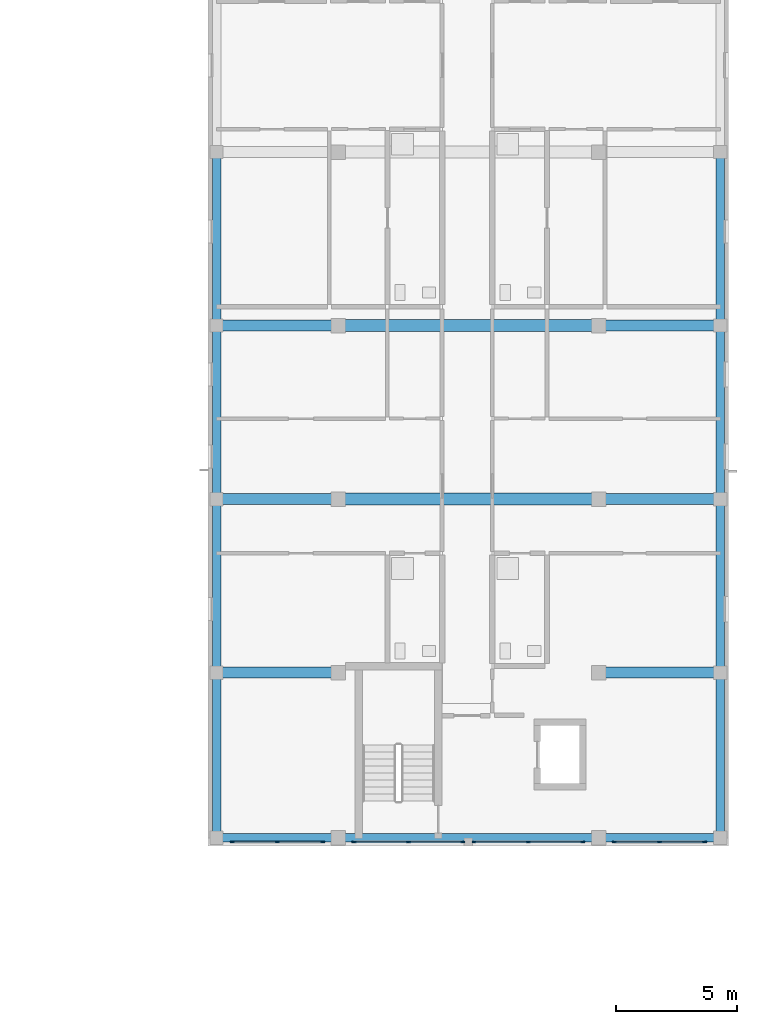
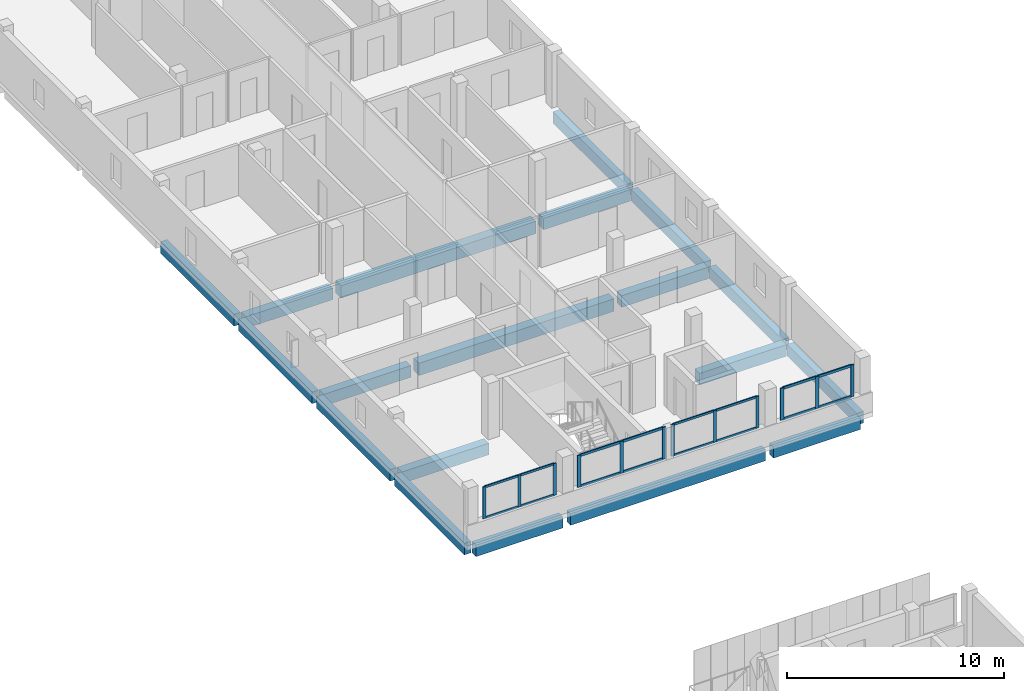
# One storey, part 8 of 38: 28 members, 19 beams, 4 elements without a shape of their own.
"""IFC4 building model written with IfcOpenShell, lengths in metres."""

from ifc_helpers import new_model, si_unit, derived_unit, direction, frame, origin, origin_2d, place, context, subcontext, project, spatial, rectangle, extrude, material, layer, layer_set, material_profile, profile_set, type_object, element, aggregate, save


model = new_model("IFC4")

# Units and contexts
model_context = context("Model", 3, precision=1e-05, world=origin(), true_north=direction((0.0, 1.0)))
body_context = subcontext(model_context, "Body", "Model", "MODEL_VIEW")
ifc_project = project(units=[si_unit("LENGTHUNIT", "METRE"), si_unit("AREAUNIT", "SQUARE_METRE"), si_unit("VOLUMEUNIT", "CUBIC_METRE"), si_unit("PLANEANGLEUNIT", "RADIAN"), si_unit("MASSUNIT", "GRAM", prefix="KILO"), derived_unit("THERMALTRANSMITTANCEUNIT", [(si_unit("MASSUNIT", "GRAM", prefix="KILO"), 1), (si_unit("TIMEUNIT", "SECOND"), -3), (si_unit("THERMODYNAMICTEMPERATUREUNIT", "KELVIN"), -1)])], contexts=[model_context])

# Site, building, storey
site_placement = place(None, origin())
site = spatial("IfcSite", under=ifc_project, at=site_placement, CompositionType="ELEMENT")
building_placement = place(site_placement, origin())
building = spatial("IfcBuilding", under=site, at=building_placement, Name="Ochrekiln Boulevard Commons", CompositionType="ELEMENT")
storey_placement = place(building_placement, frame((0.0, 0.0, 24.675048828125)))
storey = spatial("IfcBuildingStorey", under=building, at=storey_placement, Name="L07", CompositionType="ELEMENT", Elevation=24.675048828125)

# Beams
ifc_material_1 = material(Name="Concrete C35/45", Category="concrete")
ifc_material_profile_1 = material_profile(ifc_material_1, rectangle(XDim=0.449951171875, YDim=0.64990234375, at=origin_2d()), Name="RC-BM-450x650")
ifc_profile_set_1 = profile_set([ifc_material_profile_1], Name="Concrete C35/45")
beam_type_1 = type_object("IfcBeamType", Name="BM-RC-450x650", PredefinedType="BEAM", material=ifc_profile_set_1)
for number, where, z_axis, x_axis, name in (
    (1, (151.760009765625, 75.60009765625, -0.5849609375), (1.0, 0.0, 0.0), (0.0, 1.0, 0.0), "Block B L07 Beam B-4565 X4"),
    (2, (167.610107421875, 75.60009765625, -0.5849609375), (1.0, 0.0, 0.0), (0.0, 1.0, 0.0), "Block B L07 Beam B-4565 X5"),
    (3, (151.760009765625, 82.800048828125, -0.5849609375), (1.0, 0.0, 0.0), (0.0, 1.0, 0.0), "Block B L07 Beam B-4565 X6"),
    (4, (167.610107421875, 82.800048828125, -0.5849609375), (1.0, 0.0, 0.0), (0.0, 1.0, 0.0), "Block B L07 Beam B-4565 X8"),
    (5, (151.760009765625, 90.0, -0.5849609375), (1.0, 0.0, 0.0), (0.0, 1.0, 0.0), "Block B L07 Beam B-4565 X9"),
    (6, (167.610107421875, 90.0, -0.5849609375), (1.0, 0.0, 0.0), (0.0, 1.0, 0.0), "Block B L07 Beam B-4565 X11"),
):
    element("IfcBeam", number, at=place(storey_placement, frame(where, z_axis=z_axis, x_axis=x_axis)), inside=storey, type_object=beam_type_1, Name=name, PredefinedType="BEAM", context=body_context, shape_type="SweptSolid", body=[
        extrude(rectangle(XDim=0.449951171875, YDim=0.64990234375, at=origin_2d()), origin(), (0.0, 0.0, 1.0), 4.6298828125),
    ])
ifc_material_2 = material(Name="Concrete C40/50", Category="concrete")
ifc_material_profile_2 = material_profile(ifc_material_2, rectangle(XDim=0.5, YDim=0.699951171875, at=origin_2d()), Name="RC-BM-500x700")
ifc_profile_set_2 = profile_set([ifc_material_profile_2], Name="Concrete C40/50")
beam_type_2 = type_object("IfcBeamType", Name="BM-RC-500x700", PredefinedType="BEAM", material=ifc_profile_set_2)
for number, where, z_axis, x_axis, name in (
    (7, (156.81005859375, 82.800048828125, -0.610107421875), (1.0, 0.0, 0.0), (0.0, 1.0, 0.0), "Block B L07 Beam B-5070 X7"),
    (8, (156.81005859375, 90.0, -0.610107421875), (1.0, 0.0, 0.0), (0.0, 1.0, 0.0), "Block B L07 Beam B-5070 X10"),
):
    element("IfcBeam", number, at=place(storey_placement, frame(where, z_axis=z_axis, x_axis=x_axis)), inside=storey, type_object=beam_type_2, Name=name, PredefinedType="BEAM", context=body_context, shape_type="SweptSolid", body=[
        extrude(rectangle(XDim=0.5, YDim=0.699951171875, at=origin_2d()), origin(), (0.0, 0.0, 1.0), 10.3798828125),
    ])

# Curtain wall, members
ifc_material_3 = material(Name="Bronze-anodized extruded aluminium 6063-T6", Category="aluminium")
ifc_layer = layer(ifc_material_3, 0.18408203125)
ifc_layer_set = layer_set([ifc_layer], Name="Bronze-anodized extruded aluminium 6063-T6")
curtain_wall_type = type_object("IfcCurtainWallType", Name="CW-GABLE-B", PredefinedType="USERDEFINED", material=ifc_layer_set)
curtain_wall_1_placement = place(storey_placement, origin())
curtain_wall_1 = element("IfcCurtainWall", 9, at=curtain_wall_1_placement, inside=storey, type_object=curtain_wall_type, Name="Block B L07 Courtyard Glazed Gable Curtain Wall 1", ObjectType="GLAZED CURTAIN WALL", PredefinedType="USERDEFINED")
ifc_material_profile_3 = material_profile(ifc_material_3, rectangle(XDim=0.06005859375, YDim=0.159912109375, at=origin_2d()), Name="ALU-MUL-60x160")
ifc_profile_set_3 = profile_set([ifc_material_profile_3], Name="Bronze-anodized extruded aluminium 6063-T6")
member_type_1 = type_object("IfcMemberType", Name="CWM-60x160", PredefinedType="MULLION", material=ifc_profile_set_3)
member_1_placement = place(storey_placement, frame((152.199951171875, 68.570068359375, 1.10986328125), z_axis=(0.0, 0.0, 1.0), x_axis=(0.0, 1.0, 0.0)))
member_1 = element("IfcMember", 10, at=member_1_placement, type_object=member_type_1, Name="CW-02 mullion 1", PredefinedType="MULLION", context=body_context, shape_type="SweptSolid", body=[
    extrude(rectangle(XDim=0.06005859375, YDim=0.159912109375, at=origin_2d()), origin(), (0.0, 0.0, 1.0), 1.7900390625),
])
member_2_placement = place(storey_placement, frame((154.074951171875, 68.570068359375, 1.10986328125), z_axis=(0.0, 0.0, 1.0), x_axis=(0.0, 1.0, 0.0)))
member_2 = element("IfcMember", 11, at=member_2_placement, type_object=member_type_1, Name="CW-02 mullion 2", PredefinedType="MULLION", context=body_context, shape_type="SweptSolid", body=[
    extrude(rectangle(XDim=0.06005859375, YDim=0.159912109375, at=origin_2d()), origin(), (0.0, 0.0, 1.0), 1.7900390625),
])
member_3_placement = place(storey_placement, frame((155.949951171875, 68.570068359375, 1.10986328125), z_axis=(0.0, 0.0, 1.0), x_axis=(0.0, 1.0, 0.0)))
member_3 = element("IfcMember", 12, at=member_3_placement, type_object=member_type_1, Name="CW-02 mullion 3", PredefinedType="MULLION", context=body_context, shape_type="SweptSolid", body=[
    extrude(rectangle(XDim=0.06005859375, YDim=0.159912109375, at=origin_2d()), origin(), (0.0, 0.0, 1.0), 1.7900390625),
])

curtain_wall_2_placement = place(storey_placement, origin())
curtain_wall_2 = element("IfcCurtainWall", 13, at=curtain_wall_2_placement, inside=storey, type_object=curtain_wall_type, Name="Block B L07 Courtyard Glazed Gable Curtain Wall 3", ObjectType="GLAZED CURTAIN WALL", PredefinedType="USERDEFINED")
member_4_placement = place(storey_placement, frame((162.22998046875, 68.570068359375, 1.10986328125), z_axis=(0.0, 0.0, 1.0), x_axis=(0.0, 1.0, 0.0)))
member_4 = element("IfcMember", 14, at=member_4_placement, type_object=member_type_1, Name="CW-02 mullion 1", PredefinedType="MULLION", context=body_context, shape_type="SweptSolid", body=[
    extrude(rectangle(XDim=0.06005859375, YDim=0.159912109375, at=origin_2d()), origin(), (0.0, 0.0, 1.0), 1.7900390625),
])
member_5_placement = place(storey_placement, frame((164.489990234375, 68.570068359375, 1.10986328125), z_axis=(0.0, 0.0, 1.0), x_axis=(0.0, 1.0, 0.0)))
member_5 = element("IfcMember", 15, at=member_5_placement, type_object=member_type_1, Name="CW-02 mullion 2", PredefinedType="MULLION", context=body_context, shape_type="SweptSolid", body=[
    extrude(rectangle(XDim=0.06005859375, YDim=0.159912109375, at=origin_2d()), origin(), (0.0, 0.0, 1.0), 1.7900390625),
])
member_6_placement = place(storey_placement, frame((166.75, 68.570068359375, 1.10986328125), z_axis=(0.0, 0.0, 1.0), x_axis=(0.0, 1.0, 0.0)))
member_6 = element("IfcMember", 16, at=member_6_placement, type_object=member_type_1, Name="CW-02 mullion 3", PredefinedType="MULLION", context=body_context, shape_type="SweptSolid", body=[
    extrude(rectangle(XDim=0.06005859375, YDim=0.159912109375, at=origin_2d()), origin(), (0.0, 0.0, 1.0), 1.7900390625),
])

curtain_wall_3_placement = place(storey_placement, origin())
curtain_wall_3 = element("IfcCurtainWall", 17, at=curtain_wall_3_placement, inside=storey, type_object=curtain_wall_type, Name="Block B L07 Courtyard Glazed Gable Curtain Wall 2", ObjectType="GLAZED CURTAIN WALL", PredefinedType="USERDEFINED")
ifc_material_profile_4 = material_profile(ifc_material_3, rectangle(XDim=0.06494140625, YDim=0.179931640625, at=origin_2d()), Name="ALU-MUL-65x180")
ifc_profile_set_4 = profile_set([ifc_material_profile_4], Name="Bronze-anodized extruded aluminium 6063-T6")
member_type_2 = type_object("IfcMemberType", Name="CWM-65x180", PredefinedType="MULLION", material=ifc_profile_set_4)
member_7_placement = place(storey_placement, frame((157.25244140625, 68.570068359375, 1.10986328125), z_axis=(0.0, 0.0, 1.0), x_axis=(0.0, 1.0, 0.0)))
member_7 = element("IfcMember", 18, at=member_7_placement, type_object=member_type_2, Name="CW-02 mullion 1", PredefinedType="MULLION", context=body_context, shape_type="SweptSolid", body=[
    extrude(rectangle(XDim=0.06494140625, YDim=0.179931640625, at=origin_2d()), origin(), (0.0, 0.0, 1.0), 1.7900390625),
])
member_8_placement = place(storey_placement, frame((159.510009765625, 68.570068359375, 1.10986328125), z_axis=(0.0, 0.0, 1.0), x_axis=(0.0, 1.0, 0.0)))
member_8 = element("IfcMember", 19, at=member_8_placement, type_object=member_type_2, Name="CW-02 mullion 2", PredefinedType="MULLION", context=body_context, shape_type="SweptSolid", body=[
    extrude(rectangle(XDim=0.06494140625, YDim=0.179931640625, at=origin_2d()), origin(), (0.0, 0.0, 1.0), 1.7900390625),
])
member_9_placement = place(storey_placement, frame((161.767578125, 68.570068359375, 1.10986328125), z_axis=(0.0, 0.0, 1.0), x_axis=(0.0, 1.0, 0.0)))
member_9 = element("IfcMember", 20, at=member_9_placement, type_object=member_type_2, Name="CW-02 mullion 3", PredefinedType="MULLION", context=body_context, shape_type="SweptSolid", body=[
    extrude(rectangle(XDim=0.06494140625, YDim=0.179931640625, at=origin_2d()), origin(), (0.0, 0.0, 1.0), 1.7900390625),
])

curtain_wall_4_placement = place(storey_placement, origin())
curtain_wall_4 = element("IfcCurtainWall", 21, at=curtain_wall_4_placement, inside=storey, type_object=curtain_wall_type, Name="Block B L07 Courtyard Glazed Gable Curtain Wall 4", ObjectType="GLAZED CURTAIN WALL", PredefinedType="USERDEFINED")
member_10_placement = place(storey_placement, frame((168.052490234375, 68.570068359375, 1.10986328125), z_axis=(0.0, 0.0, 1.0), x_axis=(0.0, 1.0, 0.0)))
member_10 = element("IfcMember", 22, at=member_10_placement, type_object=member_type_2, Name="CW-02 mullion 1", PredefinedType="MULLION", context=body_context, shape_type="SweptSolid", body=[
    extrude(rectangle(XDim=0.06494140625, YDim=0.179931640625, at=origin_2d()), origin(), (0.0, 0.0, 1.0), 1.7900390625),
])
member_11_placement = place(storey_placement, frame((169.925048828125, 68.570068359375, 1.10986328125), z_axis=(0.0, 0.0, 1.0), x_axis=(0.0, 1.0, 0.0)))
member_11 = element("IfcMember", 23, at=member_11_placement, type_object=member_type_2, Name="CW-02 mullion 2", PredefinedType="MULLION", context=body_context, shape_type="SweptSolid", body=[
    extrude(rectangle(XDim=0.06494140625, YDim=0.179931640625, at=origin_2d()), origin(), (0.0, 0.0, 1.0), 1.7900390625),
])
member_12_placement = place(storey_placement, frame((171.797607421875, 68.570068359375, 1.10986328125), z_axis=(0.0, 0.0, 1.0), x_axis=(0.0, 1.0, 0.0)))
member_12 = element("IfcMember", 24, at=member_12_placement, type_object=member_type_2, Name="CW-02 mullion 3", PredefinedType="MULLION", context=body_context, shape_type="SweptSolid", body=[
    extrude(rectangle(XDim=0.06494140625, YDim=0.179931640625, at=origin_2d()), origin(), (0.0, 0.0, 1.0), 1.7900390625),
])

# Member
ifc_material_profile_5 = material_profile(ifc_material_3, rectangle(XDim=0.06005859375, YDim=0.1201171875, at=origin_2d()), Name="ALU-TRN-60x120")
ifc_profile_set_5 = profile_set([ifc_material_profile_5], Name="Bronze-anodized extruded aluminium 6063-T6")
member_type_3 = type_object("IfcMemberType", Name="CWT-60x120", PredefinedType="USERDEFINED", material=ifc_profile_set_5)
member_13_placement = place(storey_placement, frame((152.22998046875, 68.570068359375, 1.139892578125), z_axis=(1.0, 0.0, 0.0), x_axis=(0.0, 1.0, 0.0)))
member_13 = element("IfcMember", 25, at=member_13_placement, type_object=member_type_3, Name="CW-02 transom 1.1", ObjectType="TRANSOM", PredefinedType="USERDEFINED", context=body_context, shape_type="SweptSolid", body=[
    extrude(rectangle(XDim=0.06005859375, YDim=0.1201171875, at=origin_2d()), origin(), (0.0, 0.0, 1.0), 1.81494140625),
])

member_14_placement = place(storey_placement, frame((152.22998046875, 68.570068359375, 2.869873046875), z_axis=(1.0, 0.0, 0.0), x_axis=(0.0, 1.0, 0.0)))
member_14 = element("IfcMember", 26, at=member_14_placement, type_object=member_type_3, Name="CW-02 transom 1.2", ObjectType="TRANSOM", PredefinedType="USERDEFINED", context=body_context, shape_type="SweptSolid", body=[
    extrude(rectangle(XDim=0.06005859375, YDim=0.1201171875, at=origin_2d()), origin(), (0.0, 0.0, 1.0), 1.81494140625),
])

member_15_placement = place(storey_placement, frame((154.10498046875, 68.570068359375, 1.139892578125), z_axis=(1.0, 0.0, 0.0), x_axis=(0.0, 1.0, 0.0)))
member_15 = element("IfcMember", 27, at=member_15_placement, type_object=member_type_3, Name="CW-02 transom 2.1", ObjectType="TRANSOM", PredefinedType="USERDEFINED", context=body_context, shape_type="SweptSolid", body=[
    extrude(rectangle(XDim=0.06005859375, YDim=0.1201171875, at=origin_2d()), origin(), (0.0, 0.0, 1.0), 1.81494140625),
])

member_16_placement = place(storey_placement, frame((154.10498046875, 68.570068359375, 2.869873046875), z_axis=(1.0, 0.0, 0.0), x_axis=(0.0, 1.0, 0.0)))
member_16 = element("IfcMember", 28, at=member_16_placement, type_object=member_type_3, Name="CW-02 transom 2.2", ObjectType="TRANSOM", PredefinedType="USERDEFINED", context=body_context, shape_type="SweptSolid", body=[
    extrude(rectangle(XDim=0.06005859375, YDim=0.1201171875, at=origin_2d()), origin(), (0.0, 0.0, 1.0), 1.81494140625),
])

aggregate(curtain_wall_1, [member_1, member_2, member_3, member_13, member_14, member_15, member_16])

member_17_placement = place(storey_placement, frame((162.260009765625, 68.570068359375, 1.139892578125), z_axis=(1.0, 0.0, 0.0), x_axis=(0.0, 1.0, 0.0)))
member_17 = element("IfcMember", 29, at=member_17_placement, type_object=member_type_3, Name="CW-02 transom 1.1", ObjectType="TRANSOM", PredefinedType="USERDEFINED", context=body_context, shape_type="SweptSolid", body=[
    extrude(rectangle(XDim=0.06005859375, YDim=0.1201171875, at=origin_2d()), origin(), (0.0, 0.0, 1.0), 2.199951171875),
])

member_18_placement = place(storey_placement, frame((162.260009765625, 68.570068359375, 2.869873046875), z_axis=(1.0, 0.0, 0.0), x_axis=(0.0, 1.0, 0.0)))
member_18 = element("IfcMember", 30, at=member_18_placement, type_object=member_type_3, Name="CW-02 transom 1.2", ObjectType="TRANSOM", PredefinedType="USERDEFINED", context=body_context, shape_type="SweptSolid", body=[
    extrude(rectangle(XDim=0.06005859375, YDim=0.1201171875, at=origin_2d()), origin(), (0.0, 0.0, 1.0), 2.199951171875),
])

member_19_placement = place(storey_placement, frame((164.52001953125, 68.570068359375, 1.139892578125), z_axis=(1.0, 0.0, 0.0), x_axis=(0.0, 1.0, 0.0)))
member_19 = element("IfcMember", 31, at=member_19_placement, type_object=member_type_3, Name="CW-02 transom 2.1", ObjectType="TRANSOM", PredefinedType="USERDEFINED", context=body_context, shape_type="SweptSolid", body=[
    extrude(rectangle(XDim=0.06005859375, YDim=0.1201171875, at=origin_2d()), origin(), (0.0, 0.0, 1.0), 2.199951171875),
])

member_20_placement = place(storey_placement, frame((164.52001953125, 68.570068359375, 2.869873046875), z_axis=(1.0, 0.0, 0.0), x_axis=(0.0, 1.0, 0.0)))
member_20 = element("IfcMember", 32, at=member_20_placement, type_object=member_type_3, Name="CW-02 transom 2.2", ObjectType="TRANSOM", PredefinedType="USERDEFINED", context=body_context, shape_type="SweptSolid", body=[
    extrude(rectangle(XDim=0.06005859375, YDim=0.1201171875, at=origin_2d()), origin(), (0.0, 0.0, 1.0), 2.199951171875),
])

aggregate(curtain_wall_2, [member_4, member_5, member_6, member_17, member_18, member_19, member_20])

ifc_material_profile_6 = material_profile(ifc_material_3, rectangle(XDim=0.06494140625, YDim=0.139892578125, at=origin_2d()), Name="ALU-TRN-65x140")
ifc_profile_set_6 = profile_set([ifc_material_profile_6], Name="Bronze-anodized extruded aluminium 6063-T6")
member_type_4 = type_object("IfcMemberType", Name="CWT-65x140", PredefinedType="USERDEFINED", material=ifc_profile_set_6)
member_21_placement = place(storey_placement, frame((157.284912109375, 68.570068359375, 1.142333984375), z_axis=(1.0, 0.0, 0.0), x_axis=(0.0, 1.0, 0.0)))
member_21 = element("IfcMember", 33, at=member_21_placement, type_object=member_type_4, Name="CW-02 transom 1.1", ObjectType="TRANSOM", PredefinedType="USERDEFINED", context=body_context, shape_type="SweptSolid", body=[
    extrude(rectangle(XDim=0.06494140625, YDim=0.139892578125, at=origin_2d()), origin(), (0.0, 0.0, 1.0), 2.192626953125),
])

member_22_placement = place(storey_placement, frame((157.284912109375, 68.570068359375, 2.867431640625), z_axis=(1.0, 0.0, 0.0), x_axis=(0.0, 1.0, 0.0)))
member_22 = element("IfcMember", 34, at=member_22_placement, type_object=member_type_4, Name="CW-02 transom 1.2", ObjectType="TRANSOM", PredefinedType="USERDEFINED", context=body_context, shape_type="SweptSolid", body=[
    extrude(rectangle(XDim=0.06494140625, YDim=0.139892578125, at=origin_2d()), origin(), (0.0, 0.0, 1.0), 2.192626953125),
])

member_23_placement = place(storey_placement, frame((159.54248046875, 68.570068359375, 1.142333984375), z_axis=(1.0, 0.0, 0.0), x_axis=(0.0, 1.0, 0.0)))
member_23 = element("IfcMember", 35, at=member_23_placement, type_object=member_type_4, Name="CW-02 transom 2.1", ObjectType="TRANSOM", PredefinedType="USERDEFINED", context=body_context, shape_type="SweptSolid", body=[
    extrude(rectangle(XDim=0.06494140625, YDim=0.139892578125, at=origin_2d()), origin(), (0.0, 0.0, 1.0), 2.192626953125),
])

member_24_placement = place(storey_placement, frame((159.54248046875, 68.570068359375, 2.867431640625), z_axis=(1.0, 0.0, 0.0), x_axis=(0.0, 1.0, 0.0)))
member_24 = element("IfcMember", 36, at=member_24_placement, type_object=member_type_4, Name="CW-02 transom 2.2", ObjectType="TRANSOM", PredefinedType="USERDEFINED", context=body_context, shape_type="SweptSolid", body=[
    extrude(rectangle(XDim=0.06494140625, YDim=0.139892578125, at=origin_2d()), origin(), (0.0, 0.0, 1.0), 2.192626953125),
])

aggregate(curtain_wall_3, [member_7, member_8, member_9, member_21, member_22, member_23, member_24])

member_25_placement = place(storey_placement, frame((168.0849609375, 68.570068359375, 1.142333984375), z_axis=(1.0, 0.0, 0.0), x_axis=(0.0, 1.0, 0.0)))
member_25 = element("IfcMember", 37, at=member_25_placement, type_object=member_type_4, Name="CW-02 transom 1.1", ObjectType="TRANSOM", PredefinedType="USERDEFINED", context=body_context, shape_type="SweptSolid", body=[
    extrude(rectangle(XDim=0.06494140625, YDim=0.139892578125, at=origin_2d()), origin(), (0.0, 0.0, 1.0), 1.8076171875),
])

member_26_placement = place(storey_placement, frame((168.0849609375, 68.570068359375, 2.867431640625), z_axis=(1.0, 0.0, 0.0), x_axis=(0.0, 1.0, 0.0)))
member_26 = element("IfcMember", 38, at=member_26_placement, type_object=member_type_4, Name="CW-02 transom 1.2", ObjectType="TRANSOM", PredefinedType="USERDEFINED", context=body_context, shape_type="SweptSolid", body=[
    extrude(rectangle(XDim=0.06494140625, YDim=0.139892578125, at=origin_2d()), origin(), (0.0, 0.0, 1.0), 1.8076171875),
])

member_27_placement = place(storey_placement, frame((169.95751953125, 68.570068359375, 1.142333984375), z_axis=(1.0, 0.0, 0.0), x_axis=(0.0, 1.0, 0.0)))
member_27 = element("IfcMember", 39, at=member_27_placement, type_object=member_type_4, Name="CW-02 transom 2.1", ObjectType="TRANSOM", PredefinedType="USERDEFINED", context=body_context, shape_type="SweptSolid", body=[
    extrude(rectangle(XDim=0.06494140625, YDim=0.139892578125, at=origin_2d()), origin(), (0.0, 0.0, 1.0), 1.807373046875),
])

member_28_placement = place(storey_placement, frame((169.95751953125, 68.570068359375, 2.867431640625), z_axis=(1.0, 0.0, 0.0), x_axis=(0.0, 1.0, 0.0)))
member_28 = element("IfcMember", 40, at=member_28_placement, type_object=member_type_4, Name="CW-02 transom 2.2", ObjectType="TRANSOM", PredefinedType="USERDEFINED", context=body_context, shape_type="SweptSolid", body=[
    extrude(rectangle(XDim=0.06494140625, YDim=0.139892578125, at=origin_2d()), origin(), (0.0, 0.0, 1.0), 1.807373046875),
])

aggregate(curtain_wall_4, [member_10, member_11, member_12, member_25, member_26, member_27, member_28])

# Beams
ifc_material_profile_7 = material_profile(ifc_material_2, rectangle(XDim=0.35009765625, YDim=0.64990234375, at=origin_2d()), Name="RC-SPN-350x650")
ifc_profile_set_7 = profile_set([ifc_material_profile_7], Name="Concrete C40/50")
beam_type_3 = type_object("IfcBeamType", Name="SPN-RC-350x650", PredefinedType="SPANDREL", material=ifc_profile_set_7)
beam_1_placement = place(storey_placement, frame((151.760009765625, 68.75, -0.5849609375), z_axis=(1.0, 0.0, 0.0), x_axis=(0.0, 1.0, 0.0)))
element("IfcBeam", 41, at=beam_1_placement, inside=storey, type_object=beam_type_3, Name="Block B L07 Beam SP-3565 X1", PredefinedType="SPANDREL", context=body_context, shape_type="SweptSolid", body=[
    extrude(rectangle(XDim=0.35009765625, YDim=0.64990234375, at=origin_2d()), origin(), (0.0, 0.0, 1.0), 4.6298828125),
])
beam_2_placement = place(storey_placement, frame((156.81005859375, 68.75, -0.5849609375), z_axis=(1.0, 0.0, 0.0), x_axis=(0.0, 1.0, 0.0)))
element("IfcBeam", 42, at=beam_2_placement, inside=storey, type_object=beam_type_3, Name="Block B L07 Beam SP-3565 X2", PredefinedType="SPANDREL", context=body_context, shape_type="SweptSolid", body=[
    extrude(rectangle(XDim=0.35009765625, YDim=0.64990234375, at=origin_2d()), origin(), (0.0, 0.0, 1.0), 10.3798828125),
])
beam_3_placement = place(storey_placement, frame((167.610107421875, 68.75, -0.5849609375), z_axis=(1.0, 0.0, 0.0), x_axis=(0.0, 1.0, 0.0)))
element("IfcBeam", 43, at=beam_3_placement, inside=storey, type_object=beam_type_3, Name="Block B L07 Beam SP-3565 X3", PredefinedType="SPANDREL", context=body_context, shape_type="SweptSolid", body=[
    extrude(rectangle(XDim=0.35009765625, YDim=0.64990234375, at=origin_2d()), origin(), (0.0, 0.0, 1.0), 4.6298828125),
])
beam_4_placement = place(storey_placement, frame((151.550048828125, 68.9599609375, -0.5849609375), z_axis=(0.0, 1.0, 0.0), x_axis=(-1.0, 0.0, 0.0)))
element("IfcBeam", 44, at=beam_4_placement, inside=storey, type_object=beam_type_3, Name="Block B L07 Beam SP-3565 Y23", PredefinedType="SPANDREL", context=body_context, shape_type="SweptSolid", body=[
    extrude(rectangle(XDim=0.35009765625, YDim=0.64990234375, at=origin_2d()), origin(), (0.0, 0.0, 1.0), 6.429931640625),
])
for number, where, z_axis, x_axis, name in (
    (45, (151.550048828125, 75.81005859375, -0.5849609375), (0.0, 1.0, 0.0), (-1.0, 0.0, 0.0), "Block B L07 Beam SP-3565 Y24"),
    (46, (151.550048828125, 83.010009765625, -0.5849609375), (0.0, 1.0, 0.0), (-1.0, 0.0, 0.0), "Block B L07 Beam SP-3565 Y25"),
    (47, (151.550048828125, 90.2099609375, -0.5849609375), (0.0, 1.0, 0.0), (-1.0, 0.0, 0.0), "Block B L07 Beam SP-3565 Y26"),
):
    element("IfcBeam", number, at=place(storey_placement, frame(where, z_axis=z_axis, x_axis=x_axis)), inside=storey, type_object=beam_type_3, Name=name, PredefinedType="SPANDREL", context=body_context, shape_type="SweptSolid", body=[
        extrude(rectangle(XDim=0.35009765625, YDim=0.64990234375, at=origin_2d()), origin(), (0.0, 0.0, 1.0), 6.780029296875),
    ])
beam_5_placement = place(storey_placement, frame((172.449951171875, 68.9599609375, -0.5849609375), z_axis=(0.0, 1.0, 0.0), x_axis=(-1.0, 0.0, 0.0)))
element("IfcBeam", 48, at=beam_5_placement, inside=storey, type_object=beam_type_3, Name="Block B L07 Beam SP-3565 Y30", PredefinedType="SPANDREL", context=body_context, shape_type="SweptSolid", body=[
    extrude(rectangle(XDim=0.35009765625, YDim=0.64990234375, at=origin_2d()), origin(), (0.0, 0.0, 1.0), 6.429931640625),
])
for number, where, z_axis, x_axis, name in (
    (49, (172.449951171875, 75.81005859375, -0.5849609375), (0.0, 1.0, 0.0), (-1.0, 0.0, 0.0), "Block B L07 Beam SP-3565 Y31"),
    (50, (172.449951171875, 83.010009765625, -0.5849609375), (0.0, 1.0, 0.0), (-1.0, 0.0, 0.0), "Block B L07 Beam SP-3565 Y32"),
    (51, (172.449951171875, 90.2099609375, -0.5849609375), (0.0, 1.0, 0.0), (-1.0, 0.0, 0.0), "Block B L07 Beam SP-3565 Y33"),
):
    element("IfcBeam", number, at=place(storey_placement, frame(where, z_axis=z_axis, x_axis=x_axis)), inside=storey, type_object=beam_type_3, Name=name, PredefinedType="SPANDREL", context=body_context, shape_type="SweptSolid", body=[
        extrude(rectangle(XDim=0.35009765625, YDim=0.64990234375, at=origin_2d()), origin(), (0.0, 0.0, 1.0), 6.780029296875),
    ])

save(model, "model.ifc")
